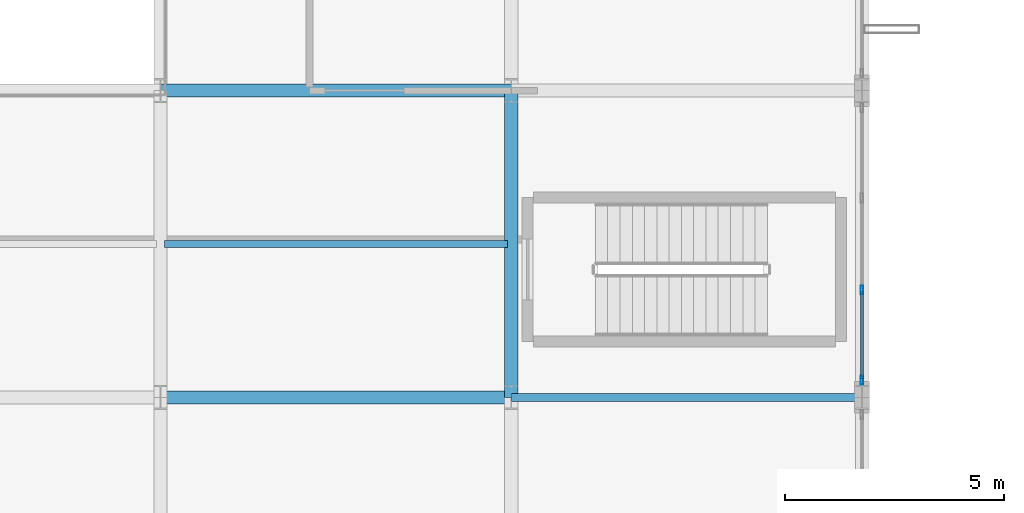
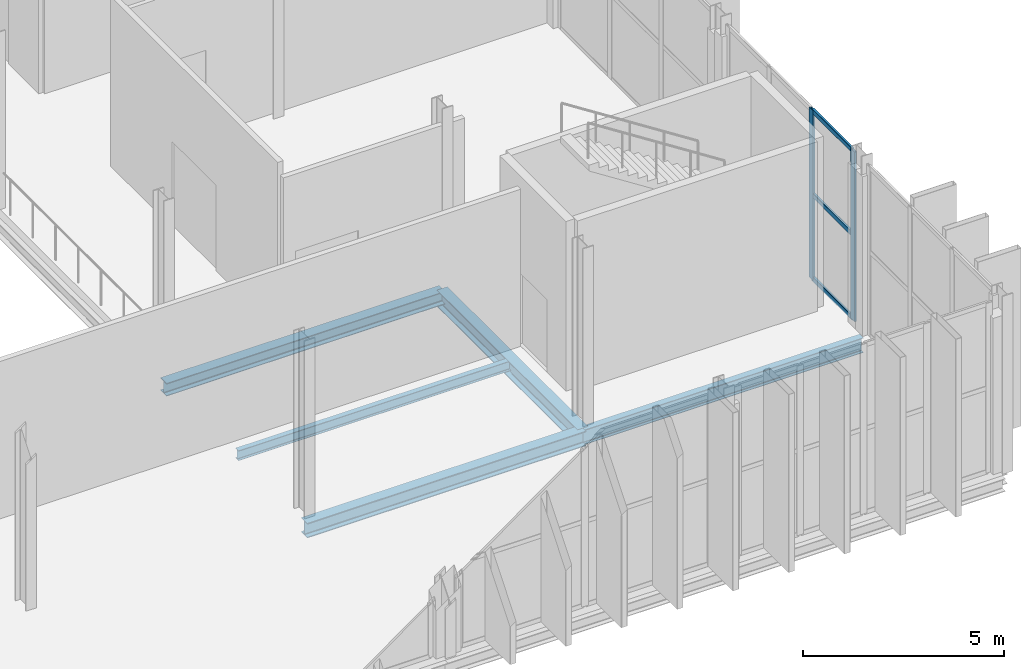
# One storey, part 45 of 147: 5 beams, 5 members, 1 element without a shape of its own.
"""IFC4 building model written with IfcOpenShell, lengths in metres."""

from ifc_helpers import new_model, si_unit, direction, frame, origin, origin_2d, place, context, subcontext, project, spatial, hollow_rectangle, i_section, extrude, material, layer, layer_set, material_profile, profile_set, type_object, element, aggregate, save


model = new_model("IFC4")

# Units and contexts
model_context = context("Model", 3, precision=1e-05, world=origin(), true_north=direction((0.0, 1.0)))
body_context = subcontext(model_context, "Body", "Model", "MODEL_VIEW")
ifc_project = project(units=[si_unit("LENGTHUNIT", "METRE"), si_unit("AREAUNIT", "SQUARE_METRE"), si_unit("VOLUMEUNIT", "CUBIC_METRE"), si_unit("PLANEANGLEUNIT", "RADIAN"), si_unit("MASSUNIT", "GRAM", prefix="KILO")], contexts=[model_context])

# Site, building, storey
site_placement = place(None, origin())
site = spatial("IfcSite", under=ifc_project, at=site_placement, CompositionType="ELEMENT")
building_placement = place(site_placement, origin())
building = spatial("IfcBuilding", under=site, at=building_placement, Name="Vekula Escarpment Museum", CompositionType="ELEMENT")
storey_placement = place(building_placement, frame((0.0, 0.0, 7.800048828125)))
storey = spatial("IfcBuildingStorey", under=building, at=storey_placement, Name="L02", CompositionType="ELEMENT", Elevation=7.800048828125)

# Beams
ifc_material_1 = material(Name="Steel S355", Category="steel")
ifc_material_profile_1 = material_profile(ifc_material_1, i_section(OverallWidth=0.300048828125, OverallDepth=0.449951171875, WebThickness=0.013916015625, FlangeThickness=0.02587890625, FilletRadius=0.027099609375, at=origin_2d()), Name="HEB 450")
ifc_profile_set_1 = profile_set([ifc_material_profile_1], Name="Steel S355")
beam_type_1 = type_object("IfcBeamType", Name="BM-GIRD-HEB450", PredefinedType="BEAM", material=ifc_profile_set_1)
beam_1_placement = place(storey_placement, frame((110.0, 52.60009765625, -0.485107421875), z_axis=(1.0, 0.0, 0.0), x_axis=(0.0, 1.0, 0.0)))
element("IfcBeam", 1, at=beam_1_placement, inside=storey, type_object=beam_type_1, Name="Beam X L02 0865", PredefinedType="BEAM", context=body_context, shape_type="SweptSolid", body=[
    extrude(i_section(OverallWidth=0.300048828125, OverallDepth=0.449951171875, WebThickness=0.013916015625, FlangeThickness=0.02587890625, FilletRadius=0.027099609375, at=origin_2d()), origin(), (0.0, 0.0, 1.0), 8.0),
])
ifc_material_2 = material(Name="Steel S355", Category="steel")
ifc_material_profile_2 = material_profile(ifc_material_2, i_section(OverallWidth=0.300048828125, OverallDepth=0.5, WebThickness=0.014404296875, FlangeThickness=0.028076171875, FilletRadius=0.027099609375, at=origin_2d()), Name="HEB 500")
ifc_profile_set_2 = profile_set([ifc_material_profile_2], Name="Steel S355")
beam_type_2 = type_object("IfcBeamType", Name="BM-GIRD-HEB500", PredefinedType="BEAM", material=ifc_profile_set_2)
beam_2_placement = place(storey_placement, frame((118.0, 52.60009765625, -0.510009765625), z_axis=(0.0, 1.0, 0.0), x_axis=(-1.0, 0.0, 0.0)))
element("IfcBeam", 2, at=beam_2_placement, inside=storey, type_object=beam_type_2, Name="Beam Y L02 1196", PredefinedType="BEAM", context=body_context, shape_type="SweptSolid", body=[
    extrude(i_section(OverallWidth=0.300048828125, OverallDepth=0.5, WebThickness=0.014404296875, FlangeThickness=0.028076171875, FilletRadius=0.027099609375, at=origin_2d()), origin(), (0.0, 0.0, 1.0), 7.0),
])
ifc_material_3 = material(Name="Steel S355", Category="steel")
ifc_material_profile_3 = material_profile(ifc_material_3, i_section(OverallWidth=0.18994140625, OverallDepth=0.449951171875, WebThickness=0.009521484375, FlangeThickness=0.0146484375, FilletRadius=0.02099609375, at=origin_2d()), Name="IPE 450")
ifc_profile_set_3 = profile_set([ifc_material_profile_3], Name="Steel S355")
beam_type_3 = type_object("IfcBeamType", Name="BM-GIRD-IPE450", PredefinedType="BEAM", material=ifc_profile_set_3)
beam_3_placement = place(storey_placement, frame((118.0, 52.60009765625, -0.485107421875), z_axis=(1.0, 0.0, 0.0), x_axis=(0.0, 1.0, 0.0)))
element("IfcBeam", 3, at=beam_3_placement, inside=storey, type_object=beam_type_3, Name="Beam X L02 0866", PredefinedType="BEAM", context=body_context, shape_type="SweptSolid", body=[
    extrude(i_section(OverallWidth=0.18994140625, OverallDepth=0.449951171875, WebThickness=0.009521484375, FlangeThickness=0.0146484375, FilletRadius=0.02099609375, at=origin_2d()), origin(), (0.0, 0.0, 1.0), 8.0),
])
ifc_material_4 = material(Name="Steel S355", Category="steel")
ifc_material_profile_4 = material_profile(ifc_material_4, i_section(OverallWidth=0.14990234375, OverallDepth=0.300048828125, WebThickness=0.007080078125, FlangeThickness=0.0107421875, FilletRadius=0.014892578125, at=origin_2d()), Name="IPE 300")
ifc_profile_set_4 = profile_set([ifc_material_profile_4], Name="Steel S355")
beam_type_4 = type_object("IfcBeamType", Name="BM-JST-IPE300", PredefinedType="JOIST", material=ifc_profile_set_4)
beam_4_placement = place(storey_placement, frame((110.090087890625, 56.10009765625, -0.41015625), z_axis=(1.0, 0.0, 0.0), x_axis=(0.0, 1.0, 0.0)))
element("IfcBeam", 4, at=beam_4_placement, inside=storey, type_object=beam_type_4, Name="Secondary Joist L02 0807", PredefinedType="JOIST", context=body_context, shape_type="SweptSolid", body=[
    extrude(i_section(OverallWidth=0.14990234375, OverallDepth=0.300048828125, WebThickness=0.007080078125, FlangeThickness=0.0107421875, FilletRadius=0.014892578125, at=origin_2d()), origin(), (0.0, 0.0, 1.0), 7.81982421875),
])
ifc_material_5 = material(Name="Steel S355", Category="steel")
ifc_material_profile_5 = material_profile(ifc_material_5, i_section(OverallWidth=0.300048828125, OverallDepth=0.389892578125, WebThickness=0.010986328125, FlangeThickness=0.01904296875, FilletRadius=0.027099609375, at=origin_2d()), Name="HEA 400")
ifc_profile_set_5 = profile_set([ifc_material_profile_5], Name="Steel S355")
beam_type_5 = type_object("IfcBeamType", Name="BM-SPAN-HEA400", PredefinedType="SPANDREL", material=ifc_profile_set_5)
beam_5_placement = place(storey_placement, frame((110.0, 59.60009765625, -0.455078125), z_axis=(1.0, 0.0, 0.0), x_axis=(0.0, 1.0, 0.0)))
element("IfcBeam", 5, at=beam_5_placement, inside=storey, type_object=beam_type_5, Name="Beam X L02 0883", PredefinedType="SPANDREL", context=body_context, shape_type="SweptSolid", body=[
    extrude(i_section(OverallWidth=0.300048828125, OverallDepth=0.389892578125, WebThickness=0.010986328125, FlangeThickness=0.01904296875, FilletRadius=0.027099609375, at=origin_2d()), origin(), (0.0, 0.0, 1.0), 8.0),
])

# Curtain wall, members
ifc_material_6 = material(Name="Aluminium thermally broken framing", Category="aluminium")
ifc_layer = layer(ifc_material_6, 0.159912109375)
ifc_layer_set = layer_set([ifc_layer], Name="Aluminium thermally broken framing")
curtain_wall_type = type_object("IfcCurtainWallType", Name="CW-SYS-01", PredefinedType="NOTDEFINED", material=ifc_layer_set)
curtain_wall_placement = place(storey_placement, origin())
curtain_wall = element("IfcCurtainWall", 6, at=curtain_wall_placement, inside=storey, type_object=curtain_wall_type, Name="Curtain Wall CW-L02-061", PredefinedType="NOTDEFINED")
ifc_material_7 = material(Name="Aluminium anodized mullion", Category="aluminium")
ifc_material_profile_6 = material_profile(ifc_material_7, hollow_rectangle(XDim=0.06494140625, YDim=0.199951171875, WallThickness=0.00390625, InnerFilletRadius=0.00390625, OuterFilletRadius=0.008056640625, at=origin_2d()), Name="ALU 200x65x4")
ifc_profile_set_6 = profile_set([ifc_material_profile_6], Name="Aluminium anodized mullion")
member_type_1 = type_object("IfcMemberType", Name="CW-MUL-200", PredefinedType="MULLION", material=ifc_profile_set_6)
member_1_placement = place(storey_placement, frame((126.0, 52.992431640625, 0.0), z_axis=(0.0, 0.0, 1.0), x_axis=(-1.0, 0.0, 0.0)))
member_1 = element("IfcMember", 7, at=member_1_placement, type_object=member_type_1, Name="CW-01 mullion 1", PredefinedType="MULLION", context=body_context, shape_type="SweptSolid", body=[
    extrude(hollow_rectangle(XDim=0.06494140625, YDim=0.199951171875, WallThickness=0.00390625, InnerFilletRadius=0.00390625, OuterFilletRadius=0.008056640625, at=origin_2d()), origin(), (0.0, 0.0, 1.0), 5.14990234375),
])
member_2_placement = place(storey_placement, frame((126.0, 55.05322265625, 0.0), z_axis=(0.0, 0.0, 1.0), x_axis=(-1.0, 0.0, 0.0)))
member_2 = element("IfcMember", 8, at=member_2_placement, type_object=member_type_1, Name="CW-01 mullion 2", PredefinedType="MULLION", context=body_context, shape_type="SweptSolid", body=[
    extrude(hollow_rectangle(XDim=0.06494140625, YDim=0.199951171875, WallThickness=0.00390625, InnerFilletRadius=0.00390625, OuterFilletRadius=0.008056640625, at=origin_2d()), origin(), (0.0, 0.0, 1.0), 5.14990234375),
])
ifc_material_8 = material(Name="Aluminium anodized transom", Category="aluminium")
ifc_material_profile_7 = material_profile(ifc_material_8, hollow_rectangle(XDim=0.06494140625, YDim=0.139892578125, WallThickness=0.00390625, InnerFilletRadius=0.00390625, OuterFilletRadius=0.008056640625, at=origin_2d()), Name="ALU 140x65x4")
ifc_profile_set_7 = profile_set([ifc_material_profile_7], Name="Aluminium anodized transom")
member_type_2 = type_object("IfcMemberType", Name="CW-TRN-140", PredefinedType="USERDEFINED", material=ifc_profile_set_7)
member_3_placement = place(storey_placement, frame((126.0, 53.02490234375, 0.032470703125), z_axis=(0.0, 1.0, 0.0), x_axis=(-1.0, 0.0, 0.0)))
member_3 = element("IfcMember", 9, at=member_3_placement, type_object=member_type_2, Name="CW-01 transom 1.1", ObjectType="TRANSOM", PredefinedType="USERDEFINED", context=body_context, shape_type="SweptSolid", body=[
    extrude(hollow_rectangle(XDim=0.06494140625, YDim=0.139892578125, WallThickness=0.00390625, InnerFilletRadius=0.00390625, OuterFilletRadius=0.008056640625, at=origin_2d()), origin(), (0.0, 0.0, 1.0), 1.995849609375),
])
member_4_placement = place(storey_placement, frame((126.0, 53.02490234375, 2.574951171875), z_axis=(0.0, 1.0, 0.0), x_axis=(-1.0, 0.0, 0.0)))
member_4 = element("IfcMember", 10, at=member_4_placement, type_object=member_type_2, Name="CW-01 transom 1.2", ObjectType="TRANSOM", PredefinedType="USERDEFINED", context=body_context, shape_type="SweptSolid", body=[
    extrude(hollow_rectangle(XDim=0.06494140625, YDim=0.139892578125, WallThickness=0.00390625, InnerFilletRadius=0.00390625, OuterFilletRadius=0.008056640625, at=origin_2d()), origin(), (0.0, 0.0, 1.0), 1.995849609375),
])
member_5_placement = place(storey_placement, frame((126.0, 53.02490234375, 5.117431640625), z_axis=(0.0, 1.0, 0.0), x_axis=(-1.0, 0.0, 0.0)))
member_5 = element("IfcMember", 11, at=member_5_placement, type_object=member_type_2, Name="CW-01 transom 1.3", ObjectType="TRANSOM", PredefinedType="USERDEFINED", context=body_context, shape_type="SweptSolid", body=[
    extrude(hollow_rectangle(XDim=0.06494140625, YDim=0.139892578125, WallThickness=0.00390625, InnerFilletRadius=0.00390625, OuterFilletRadius=0.008056640625, at=origin_2d()), origin(), (0.0, 0.0, 1.0), 1.995849609375),
])
aggregate(curtain_wall, [member_1, member_2, member_3, member_4, member_5])

save(model, "model.ifc")
